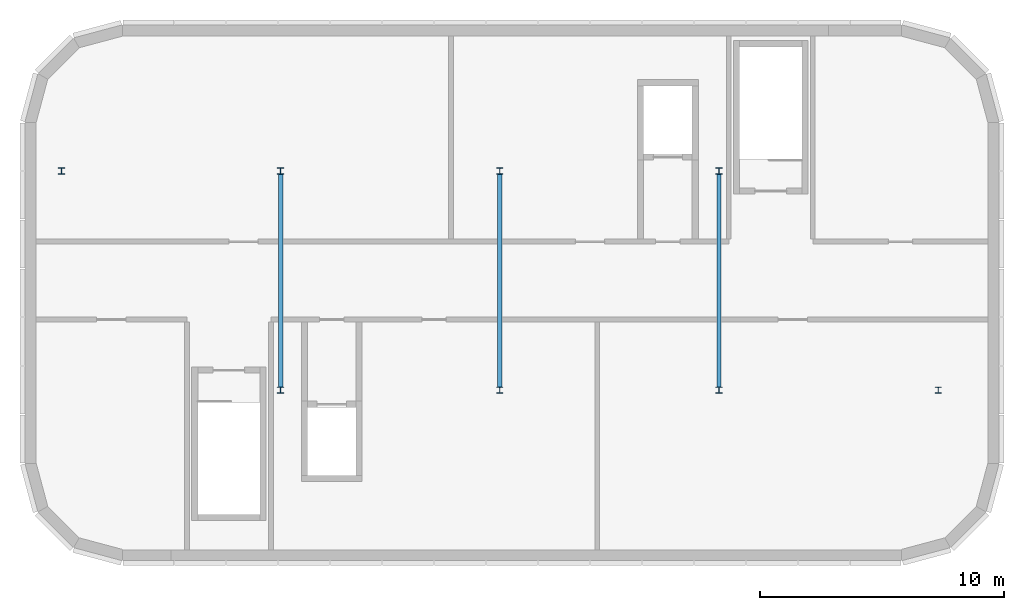
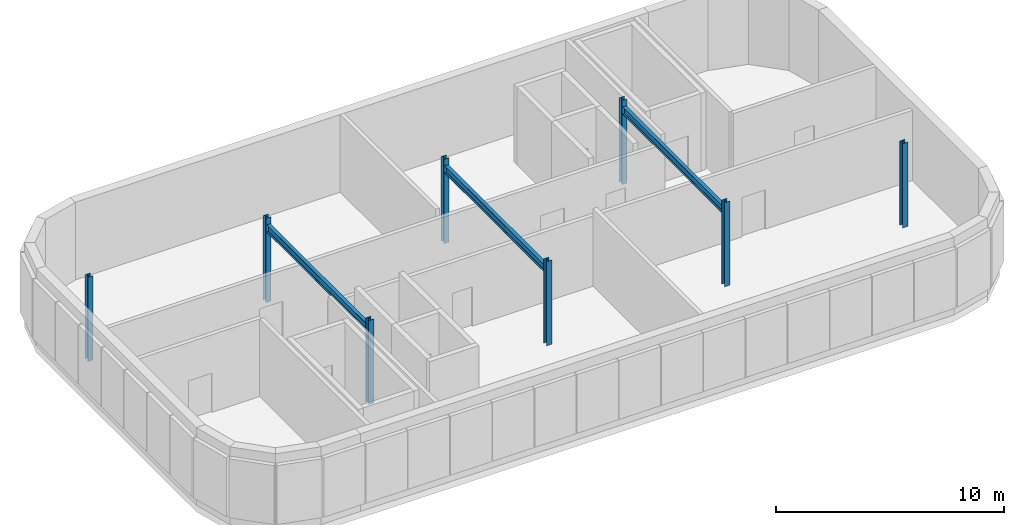
# One storey, part 1 of 4: 8 columns, 3 beams.
"""IFC4 building model written with IfcOpenShell, lengths in metres."""

import ifcopenshell
import ifcopenshell.guid

model = None  # the IFC model being written
_history = None  # IfcOwnerHistory: only IFC2X3 demands one
_inside = {}  # id of a spatial element -> (the spatial element, [elements in it])
_under = {}  # id of a project, library or spatial element -> (it, [spatial elements below it])
_declared = {}  # id of a project -> (the project, [libraries it declares])
_typed = {}  # id of a type object -> (the type object, [elements of that type])
_made_of = {}  # id of a material, layer set ... -> (it, [elements and type objects made of it])


def new_model(schema):
    """Start an empty IFC model of exactly this schema.

    Asked for "IFC4X3", IfcOpenShell would pick the latest addendum, in which some entities
    have other attributes; the version numbers below select the first issue.
    IFC2X3 requires an IfcOwnerHistory on every rooted entity: one is made here for all.
    """
    global model, _history
    if schema == "IFC4X3":
        model = ifcopenshell.file(schema_version=(4, 3, 0, 0))
    else:
        model = ifcopenshell.file(schema=schema)
    _inside.clear()
    _under.clear()
    _declared.clear()
    _typed.clear()
    _made_of.clear()
    _history = None
    if model.schema == "IFC2X3":
        org = make("IfcOrganization", Name="unknown")
        user = make(
            "IfcPersonAndOrganization",
            ThePerson=make("IfcPerson", FamilyName="unknown"),
            TheOrganization=org,
        )
        app = make(
            "IfcApplication",
            ApplicationDeveloper=org,
            Version="unknown",
            ApplicationFullName="unknown",
            ApplicationIdentifier="unknown",
        )
        _history = make(
            "IfcOwnerHistory",
            OwningUser=user,
            OwningApplication=app,
            ChangeAction="ADDED",
            CreationDate=0,
        )
    return model


def make(cls, **values):
    """One entity of the class cls with the attributes given. An attribute that is None is left unset."""
    return model.create_entity(
        cls, **{name: value for name, value in values.items() if value is not None}
    )


def rooted(cls, **values):
    """An entity with a GlobalId (a new one), such as an element, a storey or a relation."""
    return make(cls, GlobalId=ifcopenshell.guid.new(), OwnerHistory=_history, **values)


def si_unit(unit_type, name, prefix=None):
    """IfcSIUnit, for example si_unit("LENGTHUNIT", "METRE", prefix="MILLI")."""
    return make("IfcSIUnit", UnitType=unit_type, Prefix=prefix, Name=name)


def assignment(units):
    """IfcUnitAssignment: the units of a project."""
    return None if units is None else make("IfcUnitAssignment", Units=units)


def point(xyz):
    """IfcCartesianPoint."""
    return None if xyz is None else make("IfcCartesianPoint", Coordinates=xyz)


def direction(xyz):
    """IfcDirection."""
    return None if xyz is None else make("IfcDirection", DirectionRatios=xyz)


def frame(location, z_axis=None, x_axis=None):
    """IfcAxis2Placement3D, a coordinate frame: its origin and axes. An axis left out is left unset."""
    return make(
        "IfcAxis2Placement3D",
        Location=point(location),
        Axis=direction(z_axis),
        RefDirection=direction(x_axis),
    )


def frame_2d(location, x_axis=None):
    """IfcAxis2Placement2D, a coordinate frame in the plane: its origin and x axis."""
    return make(
        "IfcAxis2Placement2D", Location=point(location), RefDirection=direction(x_axis)
    )


def origin():
    """The frame at (0, 0, 0) with its axes left unset."""
    return frame((0.0, 0.0, 0.0))


def origin_2d():
    """The frame at (0, 0) in the plane with its x axis left unset."""
    return frame_2d((0.0, 0.0))


def place(relative_to, where):
    """IfcLocalPlacement: puts the frame where relative to a parent placement (None: the world)."""
    return make(
        "IfcLocalPlacement", PlacementRelTo=relative_to, RelativePlacement=where
    )


def context(
    kind, dimensions, precision=None, world=None, true_north=None, identifier=None
):
    """IfcGeometricRepresentationContext, for example the 3D "Model" context."""
    return make(
        "IfcGeometricRepresentationContext",
        ContextIdentifier=identifier,
        ContextType=kind,
        CoordinateSpaceDimension=dimensions,
        Precision=precision,
        WorldCoordinateSystem=world,
        TrueNorth=true_north,
    )


def subcontext(parent, identifier, kind, view, scale=None):
    """IfcGeometricRepresentationSubContext, for example "Body" below "Model"."""
    return make(
        "IfcGeometricRepresentationSubContext",
        ContextIdentifier=identifier,
        ContextType=kind,
        ParentContext=parent,
        TargetScale=scale,
        TargetView=view,
    )


def project(units=None, contexts=None):
    """IfcProject with its units and contexts."""
    return rooted(
        "IfcProject",
        Name="project",
        RepresentationContexts=contexts,
        UnitsInContext=assignment(units),
    )


def spatial(cls, under=None, at=None, **own):
    """A site, building, storey or space (cls), placed at a placement, below another one or the project."""
    s = rooted(cls, ObjectPlacement=at, **own)
    if under is not None:
        _under.setdefault(under.id(), (under, []))[1].append(s)
    return s


def profile(cls, at=None, kind="AREA", **sizes):
    """A parametric profile (cls). Its sizes go by their IFC names, for example OverallWidth=200.0."""
    return make(cls, ProfileType=kind, Position=at, **sizes)


def i_section(**sizes):
    """IfcIShapeProfileDef."""
    return profile("IfcIShapeProfileDef", **sizes)


def extrude(swept, where, along, depth):
    """IfcExtrudedAreaSolid: the profile swept, set in the frame where, extruded along a direction by depth."""
    return make(
        "IfcExtrudedAreaSolid",
        SweptArea=swept,
        Position=where,
        ExtrudedDirection=direction(along),
        Depth=depth,
    )


def shape(context_of_items, identifier, shape_type, items):
    """IfcShapeRepresentation: the items that make up one representation, for example the "Body"."""
    return make(
        "IfcShapeRepresentation",
        ContextOfItems=context_of_items,
        RepresentationIdentifier=identifier,
        RepresentationType=shape_type,
        Items=items,
    )


def material(Name=None, Category=None):
    """IfcMaterial."""
    return make("IfcMaterial", Name=Name, Category=Category)


def material_profile(
    of_material, cross_section, Name=None, Category=None, Priority=None
):
    """IfcMaterialProfile: a cross section and its material."""
    return make(
        "IfcMaterialProfile",
        Name=Name,
        Material=of_material,
        Profile=cross_section,
        Priority=Priority,
        Category=Category,
    )


def profile_set(profiles, Name=None, composite=None):
    """IfcMaterialProfileSet."""
    return make(
        "IfcMaterialProfileSet",
        Name=Name,
        MaterialProfiles=profiles,
        CompositeProfile=composite,
    )


def made_of(thing, what):
    """Note that an element or type object is made of a material, layer set ...; save() writes the relation."""
    if what is not None:
        _made_of.setdefault(what.id(), (what, []))[1].append(thing)
    return thing


def type_object(cls, material=None, **own):
    """A type object (cls), such as IfcWallType, which elements share."""
    return made_of(rooted(cls, **own), material)


def element(
    cls,
    number,
    at=None,
    inside=None,
    cuts=None,
    type_object=None,
    material=None,
    context=None,
    identifier="Body",
    shape_type=None,
    held_by="IfcProductDefinitionShape",
    body=None,
    shapes=None,
    **own,
):
    """One element of the class cls, such as IfcWall. Its Tag is "e" and its number.

    at: its placement. inside: the storey or other place that contains it. cuts: it is an
    opening in that element (IfcRelVoidsElement). A single representation is given by context,
    identifier, shape_type and body (its items); several are given by shapes. held_by: the class
    of the entity that holds the representations. save() writes the other relations.
    """
    e = rooted(cls, Tag="e%d" % number, ObjectPlacement=at, **own)
    if body is not None:
        shapes = [shape(context, identifier, shape_type, body)]
    if shapes is not None:
        e.Representation = make(held_by, Representations=shapes)
    if inside is not None:
        _inside.setdefault(inside.id(), (inside, []))[1].append(e)
    if cuts is not None:
        rooted(
            "IfcRelVoidsElement", RelatingBuildingElement=cuts, RelatedOpeningElement=e
        )
    if type_object is not None:
        _typed.setdefault(type_object.id(), (type_object, []))[1].append(e)
    return made_of(e, material)


def aggregate(whole, parts):
    """IfcRelAggregates: a whole, such as a stair, and the parts it consists of."""
    return rooted("IfcRelAggregates", RelatingObject=whole, RelatedObjects=parts)


def save(model, path):
    """Write the relations noted so far, then the file.

    IfcRelAggregates (storeys below a building ...), IfcRelContainedInSpatialStructure (elements
    in a storey), IfcRelDefinesByType, IfcRelAssociatesMaterial and IfcRelDeclares: one each for
    every whole, place, type object, material and project.
    """
    for whole, parts in _under.values():
        aggregate(whole, parts)
    for where, things in _inside.values():
        rooted(
            "IfcRelContainedInSpatialStructure",
            RelatedElements=things,
            RelatingStructure=where,
        )
    for kind, things in _typed.values():
        rooted("IfcRelDefinesByType", RelatedObjects=things, RelatingType=kind)
    for what, things in _made_of.values():
        rooted("IfcRelAssociatesMaterial", RelatedObjects=things, RelatingMaterial=what)
    for by, libraries in _declared.values():
        rooted("IfcRelDeclares", RelatingContext=by, RelatedDefinitions=libraries)
    model.write(path)


model = new_model("IFC4")

# Units and contexts
model_context = context("Model", 3, precision=1e-05, world=origin(), true_north=direction((0.0, 1.0)))
body_context = subcontext(model_context, "Body", "Model", "MODEL_VIEW")
ifc_project = project(units=[si_unit("LENGTHUNIT", "METRE"), si_unit("AREAUNIT", "SQUARE_METRE"), si_unit("VOLUMEUNIT", "CUBIC_METRE"), si_unit("PLANEANGLEUNIT", "RADIAN"), si_unit("MASSUNIT", "GRAM", prefix="KILO")], contexts=[model_context])

# Site, building, storey
site_placement = place(None, origin())
site = spatial("IfcSite", under=ifc_project, at=site_placement, CompositionType="ELEMENT")
building_placement = place(site_placement, origin())
building = spatial("IfcBuilding", under=site, at=building_placement, Name="Kajstack Hotel Tower", CompositionType="ELEMENT")
storey_placement = place(building_placement, frame((0.0, 0.0, 329.800048828125)))
storey = spatial("IfcBuildingStorey", under=building, at=storey_placement, Name="RF", CompositionType="ELEMENT", Elevation=329.800048828125)

# Columns
ifc_material = material(Name="Steel S355J2", Category="steel")
ifc_material_profile_1 = material_profile(ifc_material, i_section(OverallWidth=0.260009765625, OverallDepth=0.260009765625, WebThickness=0.010009765625, FlangeThickness=0.017578125, FilletRadius=0.02392578125, at=origin_2d()), Name="HEB 260")
ifc_profile_set_1 = profile_set([ifc_material_profile_1], Name="Steel S355J2")
column_type = type_object("IfcColumnType", Name="CC3 HEB 260", PredefinedType="COLUMN", material=ifc_profile_set_1)
for number, where, z_axis, x_axis, name in (
    (1, (-18.0, 4.5, 0.0), (0.0, 0.0, 1.0), (1.0, 0.0, 0.0), "S-col-c-RF--18p0+4p5"),
    (2, (-9.0, -4.5, 0.0), (0.0, 0.0, 1.0), (1.0, 0.0, 0.0), "S-col-c-RF--9p0-4p5"),
    (3, (-9.0, 4.5, 0.0), (0.0, 0.0, 1.0), (1.0, 0.0, 0.0), "S-col-c-RF--9p0+4p5"),
    (4, (0.0, -4.5, 0.0), (0.0, 0.0, 1.0), (1.0, 0.0, 0.0), "S-col-c-RF-+0p0-4p5"),
    (5, (0.0, 4.5, 0.0), (0.0, 0.0, 1.0), (1.0, 0.0, 0.0), "S-col-c-RF-+0p0+4p5"),
    (6, (9.0, -4.5, 0.0), (0.0, 0.0, 1.0), (1.0, 0.0, 0.0), "S-col-c-RF-+9p0-4p5"),
    (7, (9.0, 4.5, 0.0), (0.0, 0.0, 1.0), (1.0, 0.0, 0.0), "S-col-c-RF-+9p0+4p5"),
    (8, (18.0, -4.5, 0.0), (0.0, 0.0, 1.0), (1.0, 0.0, 0.0), "S-col-c-RF-+18p0-4p5"),
):
    element("IfcColumn", number, at=place(storey_placement, frame(where, z_axis=z_axis, x_axis=x_axis)), inside=storey, type_object=column_type, Name=name, PredefinedType="COLUMN", context=body_context, shape_type="SweptSolid", body=[
        extrude(i_section(OverallWidth=0.260009765625, OverallDepth=0.260009765625, WebThickness=0.010009765625, FlangeThickness=0.017578125, FilletRadius=0.02392578125, at=origin_2d()), origin(), (0.0, 0.0, 1.0), 4.5),
    ])

# Beams
ifc_material_profile_2 = material_profile(ifc_material, i_section(OverallWidth=0.179931640625, OverallDepth=0.39990234375, WebThickness=0.008544921875, FlangeThickness=0.013427734375, FilletRadius=0.02099609375, at=origin_2d()), Name="IPE 400")
ifc_profile_set_2 = profile_set([ifc_material_profile_2], Name="Steel S355J2")
beam_type = type_object("IfcBeamType", Name="CF3 IPE 400", PredefinedType="BEAM", material=ifc_profile_set_2)
for number, where, z_axis, x_axis, name in (
    (9, (-9.0, -4.3701171875, 3.949951171875), (0.0, 1.0, 0.0), (-1.0, 0.0, 0.0), "S-beam-c-RF--9p0-1"),
    (10, (0.0, -4.3701171875, 3.949951171875), (0.0, 1.0, 0.0), (-1.0, 0.0, 0.0), "S-beam-c-RF-+0p0-1"),
    (11, (9.0, -4.3701171875, 3.949951171875), (0.0, 1.0, 0.0), (-1.0, 0.0, 0.0), "S-beam-c-RF-+9p0-1"),
):
    element("IfcBeam", number, at=place(storey_placement, frame(where, z_axis=z_axis, x_axis=x_axis)), inside=storey, type_object=beam_type, Name=name, PredefinedType="BEAM", context=body_context, shape_type="SweptSolid", body=[
        extrude(i_section(OverallWidth=0.179931640625, OverallDepth=0.39990234375, WebThickness=0.008544921875, FlangeThickness=0.013427734375, FilletRadius=0.02099609375, at=origin_2d()), origin(), (0.0, 0.0, 1.0), 8.740234375),
    ])

save(model, "model.ifc")
